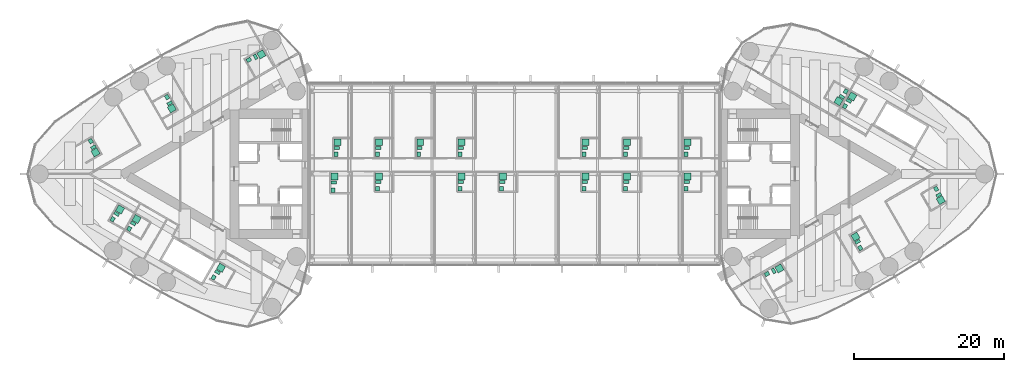
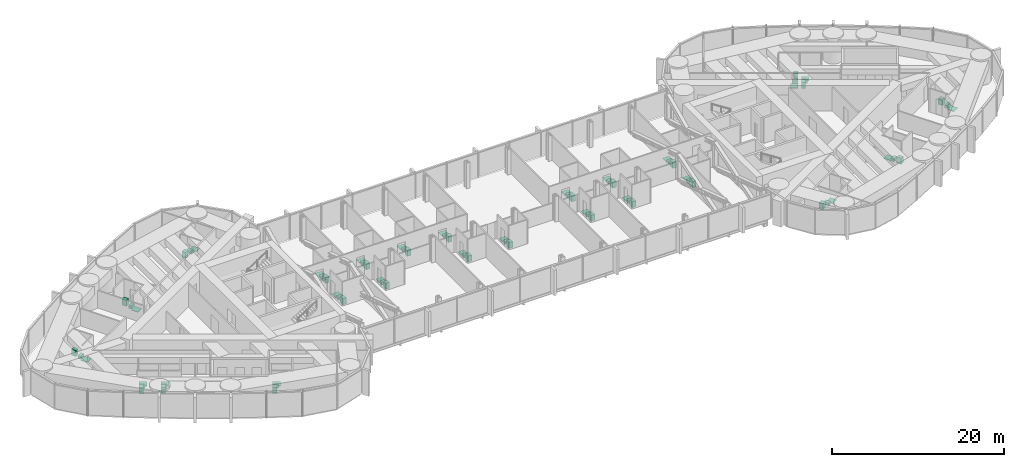
# One storey, part 22 of 22: 31 sanitary terminals.
"""IFC4 building model written with IfcOpenShell, lengths in metres."""

from ifc_helpers import new_model, si_unit, direction, frame, origin, origin_2d, place, context, subcontext, project, spatial, rectangle, extrude, material, type_object, element, save


model = new_model("IFC4")

# Units and contexts
model_context = context("Model", 3, precision=1e-05, world=origin(), true_north=direction((0.0, 1.0)))
body_context = subcontext(model_context, "Body", "Model", "MODEL_VIEW")
ifc_project = project(units=[si_unit("LENGTHUNIT", "METRE"), si_unit("AREAUNIT", "SQUARE_METRE"), si_unit("VOLUMEUNIT", "CUBIC_METRE"), si_unit("PLANEANGLEUNIT", "RADIAN"), si_unit("MASSUNIT", "GRAM", prefix="KILO")], contexts=[model_context])

# Site, building, storey
site_placement = place(None, origin())
site = spatial("IfcSite", under=ifc_project, at=site_placement, CompositionType="ELEMENT")
building_placement = place(site_placement, origin())
building = spatial("IfcBuilding", under=site, at=building_placement, Name="Lancet Gate Hotel", CompositionType="ELEMENT")
storey_placement = place(building_placement, frame((0.0, 0.0, 226.10009765625)))
storey = spatial("IfcBuildingStorey", under=building, at=storey_placement, Name="L60", CompositionType="ELEMENT", Elevation=226.10009765625)

# Sanitary terminals
ifc_material_1 = material(Name="Vitreous china sanitary ware")
sanitary_terminal_type_1 = type_object("IfcSanitaryTerminalType", Name="En-suite sanitary set (shower, WC, basin)", PredefinedType="USERDEFINED", material=ifc_material_1)
sanitary_terminal_1_placement = place(storey_placement, frame((-45.60888671875, 8.717529296875, 0.0), z_axis=(0.0, 0.0, 1.0), x_axis=(1.0, 0.0, 0.0)))
element("IfcSanitaryTerminal", 1, at=sanitary_terminal_1_placement, inside=storey, type_object=sanitary_terminal_type_1, Name="En-suite sanitary set (shower, WC, basin) 6003", ObjectType="EN-SUITE SANITARY SET", PredefinedType="USERDEFINED", context=body_context, shape_type="SweptSolid", body=[
    extrude(rectangle(XDim=0.89990234375, YDim=0.89990234375, at=origin_2d()), frame((0.0, 0.0, 0.0), z_axis=(0.0, 0.0, 1.0), x_axis=(0.5, -0.866025403784, 0.0)), (0.0, 0.0, 1.0), 0.050048828125),
    extrude(rectangle(XDim=0.39990234375, YDim=0.699951171875, at=origin_2d()), frame((-0.2783203125, 0.682373046875, 0.0), z_axis=(0.0, 0.0, 1.0), x_axis=(0.5, -0.866025403784, 0.0)), (0.0, 0.0, 1.0), 0.39990234375),
    extrude(rectangle(XDim=0.60009765625, YDim=0.5, at=origin_2d()), frame((-0.6318359375, 1.494384765625, 0.0), z_axis=(0.0, 0.0, 1.0), x_axis=(0.5, -0.866025403784, 0.0)), (0.0, 0.0, 1.0), 0.85009765625),
])
sanitary_terminal_2_placement = place(storey_placement, frame((-55.758544921875, 2.857666015625, 0.0), z_axis=(0.0, 0.0, 1.0), x_axis=(1.0, 0.0, 0.0)))
element("IfcSanitaryTerminal", 2, at=sanitary_terminal_2_placement, inside=storey, type_object=sanitary_terminal_type_1, Name="En-suite sanitary set (shower, WC, basin) 6005", ObjectType="EN-SUITE SANITARY SET", PredefinedType="USERDEFINED", context=body_context, shape_type="SweptSolid", body=[
    extrude(rectangle(XDim=0.89990234375, YDim=0.89990234375, at=origin_2d()), frame((0.0, 0.0, 0.0), z_axis=(0.0, 0.0, 1.0), x_axis=(0.5, -0.866025403784, 0.0)), (0.0, 0.0, 1.0), 0.050048828125),
    extrude(rectangle(XDim=0.39990234375, YDim=0.699951171875, at=origin_2d()), frame((-0.278564453125, 0.68212890625, 0.0), z_axis=(0.0, 0.0, 1.0), x_axis=(0.5, -0.866025403784, 0.0)), (0.0, 0.0, 1.0), 0.39990234375),
    extrude(rectangle(XDim=0.60009765625, YDim=0.5, at=origin_2d()), frame((-0.6318359375, 1.494384765625, 0.0), z_axis=(0.0, 0.0, 1.0), x_axis=(0.5, -0.866025403784, 0.0)), (0.0, 0.0, 1.0), 0.85009765625),
])
sanitary_terminal_3_placement = place(storey_placement, frame((-52.501220703125, -4.73828125, 0.0), z_axis=(0.0, 0.0, 1.0), x_axis=(1.0, 0.0, 0.0)))
element("IfcSanitaryTerminal", 3, at=sanitary_terminal_3_placement, inside=storey, type_object=sanitary_terminal_type_1, Name="En-suite sanitary set (shower, WC, basin) 6006", ObjectType="EN-SUITE SANITARY SET", PredefinedType="USERDEFINED", context=body_context, shape_type="SweptSolid", body=[
    extrude(rectangle(XDim=0.89990234375, YDim=0.89990234375, at=origin_2d()), frame((0.0, 0.0, 0.0), z_axis=(0.0, 0.0, 1.0), x_axis=(0.5, 0.866025403784, 0.0)), (0.0, 0.0, 1.0), 0.050048828125),
    extrude(rectangle(XDim=0.39990234375, YDim=0.699951171875, at=origin_2d()), frame((-0.451416015625, -0.582275390625, 0.0), z_axis=(0.0, 0.0, 1.0), x_axis=(0.5, 0.866025403784, 0.0)), (0.0, 0.0, 1.0), 0.39990234375),
    extrude(rectangle(XDim=0.60009765625, YDim=0.5, at=origin_2d()), frame((-0.97802734375, -1.29443359375, 0.0), z_axis=(0.0, 0.0, 1.0), x_axis=(0.5, 0.866025403784, 0.0)), (0.0, 0.0, 1.0), 0.85009765625),
])
for number, where, z_axis, x_axis, name in (
    (4, (-50.292724609375, -6.013427734375, 0.0), (0.0, 0.0, 1.0), (1.0, 0.0, 0.0), "En-suite sanitary set (shower, WC, basin) 6007"),
    (5, (-39.07275390625, -12.4912109375, 0.0), (0.0, 0.0, 1.0), (1.0, 0.0, 0.0), "En-suite sanitary set (shower, WC, basin) 6009"),
):
    element("IfcSanitaryTerminal", number, at=place(storey_placement, frame(where, z_axis=z_axis, x_axis=x_axis)), inside=storey, type_object=sanitary_terminal_type_1, Name=name, ObjectType="EN-SUITE SANITARY SET", PredefinedType="USERDEFINED", context=body_context, shape_type="SweptSolid", body=[
        extrude(rectangle(XDim=0.89990234375, YDim=0.89990234375, at=origin_2d()), frame((0.0, 0.0, 0.0), z_axis=(0.0, 0.0, 1.0), x_axis=(0.5, 0.866025403784, 0.0)), (0.0, 0.0, 1.0), 0.050048828125),
        extrude(rectangle(XDim=0.39990234375, YDim=0.699951171875, at=origin_2d()), frame((-0.45166015625, -0.582275390625, 0.0), z_axis=(0.0, 0.0, 1.0), x_axis=(0.5, 0.866025403784, 0.0)), (0.0, 0.0, 1.0), 0.39990234375),
        extrude(rectangle(XDim=0.60009765625, YDim=0.5, at=origin_2d()), frame((-0.978271484375, -1.294189453125, 0.0), z_axis=(0.0, 0.0, 1.0), x_axis=(0.5, 0.866025403784, 0.0)), (0.0, 0.0, 1.0), 0.85009765625),
    ])
sanitary_terminal_4_placement = place(storey_placement, frame((45.358154296875, -8.3623046875, 0.0), z_axis=(0.0, 0.0, 1.0), x_axis=(1.0, 0.0, 0.0)))
element("IfcSanitaryTerminal", 6, at=sanitary_terminal_4_placement, inside=storey, type_object=sanitary_terminal_type_1, Name="En-suite sanitary set (shower, WC, basin) 6053", ObjectType="EN-SUITE SANITARY SET", PredefinedType="USERDEFINED", context=body_context, shape_type="SweptSolid", body=[
    extrude(rectangle(XDim=0.89990234375, YDim=0.89990234375, at=origin_2d()), frame((0.0, 0.0, 0.0), z_axis=(0.0, 0.0, 1.0), x_axis=(-0.5, 0.866025403784, 0.0)), (0.0, 0.0, 1.0), 0.050048828125),
    extrude(rectangle(XDim=0.39990234375, YDim=0.699951171875, at=origin_2d()), frame((0.2783203125, -0.682373046875, 0.0), z_axis=(0.0, 0.0, 1.0), x_axis=(-0.5, 0.866025403784, 0.0)), (0.0, 0.0, 1.0), 0.39990234375),
    extrude(rectangle(XDim=0.60009765625, YDim=0.5, at=origin_2d()), frame((0.6318359375, -1.494384765625, 0.0), z_axis=(0.0, 0.0, 1.0), x_axis=(-0.5, 0.866025403784, 0.0)), (0.0, 0.0, 1.0), 0.85009765625),
])
sanitary_terminal_5_placement = place(storey_placement, frame((56.7138671875, -3.4921875, 0.0), z_axis=(0.0, 0.0, 1.0), x_axis=(1.0, 0.0, 0.0)))
element("IfcSanitaryTerminal", 7, at=sanitary_terminal_5_placement, inside=storey, type_object=sanitary_terminal_type_1, Name="En-suite sanitary set (shower, WC, basin) 6055", ObjectType="EN-SUITE SANITARY SET", PredefinedType="USERDEFINED", context=body_context, shape_type="SweptSolid", body=[
    extrude(rectangle(XDim=0.89990234375, YDim=0.89990234375, at=origin_2d()), frame((0.0, 0.0, 0.0), z_axis=(0.0, 0.0, 1.0), x_axis=(0.5, -0.866025403784, 0.0)), (0.0, 0.0, 1.0), 0.050048828125),
    extrude(rectangle(XDim=0.39990234375, YDim=0.699951171875, at=origin_2d()), frame((-0.278564453125, 0.682373046875, 0.0), z_axis=(0.0, 0.0, 1.0), x_axis=(0.5, -0.866025403784, 0.0)), (0.0, 0.0, 1.0), 0.39990234375),
    extrude(rectangle(XDim=0.60009765625, YDim=0.5, at=origin_2d()), frame((-0.6318359375, 1.494384765625, 0.0), z_axis=(0.0, 0.0, 1.0), x_axis=(0.5, -0.866025403784, 0.0)), (0.0, 0.0, 1.0), 0.85009765625),
])
sanitary_terminal_6_placement = place(storey_placement, frame((44.93310546875, 10.293701171875, 0.0), z_axis=(0.0, 0.0, 1.0), x_axis=(1.0, 0.0, 0.0)))
element("IfcSanitaryTerminal", 8, at=sanitary_terminal_6_placement, inside=storey, type_object=sanitary_terminal_type_1, Name="En-suite sanitary set (shower, WC, basin) 6058", ObjectType="EN-SUITE SANITARY SET", PredefinedType="USERDEFINED", context=body_context, shape_type="SweptSolid", body=[
    extrude(rectangle(XDim=0.89990234375, YDim=0.89990234375, at=origin_2d()), frame((0.0, 0.0, 0.0), z_axis=(0.0, 0.0, 1.0), x_axis=(0.5, 0.866025403784, 0.0)), (0.0, 0.0, 1.0), 0.050048828125),
    extrude(rectangle(XDim=0.39990234375, YDim=0.699951171875, at=origin_2d()), frame((-0.451416015625, -0.582275390625, 0.0), z_axis=(0.0, 0.0, 1.0), x_axis=(0.5, 0.866025403784, 0.0)), (0.0, 0.0, 1.0), 0.39990234375),
    extrude(rectangle(XDim=0.60009765625, YDim=0.5, at=origin_2d()), frame((-0.97802734375, -1.29443359375, 0.0), z_axis=(0.0, 0.0, 1.0), x_axis=(0.5, 0.866025403784, 0.0)), (0.0, 0.0, 1.0), 0.85009765625),
])
sanitary_terminal_7_placement = place(storey_placement, frame((43.0859375, 9.67431640625, 0.0), z_axis=(0.0, 0.0, 1.0), x_axis=(1.0, 0.0, 0.0)))
element("IfcSanitaryTerminal", 9, at=sanitary_terminal_7_placement, inside=storey, type_object=sanitary_terminal_type_1, Name="En-suite sanitary set (shower, WC, basin) 6059", ObjectType="EN-SUITE SANITARY SET", PredefinedType="USERDEFINED", context=body_context, shape_type="SweptSolid", body=[
    extrude(rectangle(XDim=0.89990234375, YDim=0.89990234375, at=origin_2d()), frame((0.0, 0.0, 0.0), z_axis=(0.0, 0.0, 1.0), x_axis=(-0.5, -0.866025403784, 0.0)), (0.0, 0.0, 1.0), 0.050048828125),
    extrude(rectangle(XDim=0.39990234375, YDim=0.699951171875, at=origin_2d()), frame((0.45166015625, 0.58203125, 0.0), z_axis=(0.0, 0.0, 1.0), x_axis=(-0.5, -0.866025403784, 0.0)), (0.0, 0.0, 1.0), 0.39990234375),
    extrude(rectangle(XDim=0.60009765625, YDim=0.5, at=origin_2d()), frame((0.978271484375, 1.294189453125, 0.0), z_axis=(0.0, 0.0, 1.0), x_axis=(-0.5, -0.866025403784, 0.0)), (0.0, 0.0, 1.0), 0.85009765625),
])
for number, where, z_axis, x_axis, name in (
    (10, (-18.054931640625, -0.344970703125, 0.0), (0.0, 0.0, 1.0), (1.0, 0.0, 0.0), "En-suite sanitary set (shower, WC, basin) B6002"),
    (11, (-7.054931640625, -0.344970703125, 0.0), (0.0, 0.0, 1.0), (1.0, 0.0, 0.0), "En-suite sanitary set (shower, WC, basin) B6004"),
    (12, (-1.554931640625, -0.344970703125, 0.0), (0.0, 0.0, 1.0), (1.0, 0.0, 0.0), "En-suite sanitary set (shower, WC, basin) B6005"),
    (13, (9.445068359375, -0.344970703125, 0.0), (0.0, 0.0, 1.0), (1.0, 0.0, 0.0), "En-suite sanitary set (shower, WC, basin) B6007"),
    (14, (14.945068359375, -0.344970703125, 0.0), (0.0, 0.0, 1.0), (1.0, 0.0, 0.0), "En-suite sanitary set (shower, WC, basin) B6008"),
):
    element("IfcSanitaryTerminal", number, at=place(storey_placement, frame(where, z_axis=z_axis, x_axis=x_axis)), inside=storey, type_object=sanitary_terminal_type_1, Name=name, ObjectType="EN-SUITE SANITARY SET", PredefinedType="USERDEFINED", context=body_context, shape_type="SweptSolid", body=[
        extrude(rectangle(XDim=0.89990234375, YDim=0.89990234375, at=origin_2d()), frame((0.0, 0.0, 0.0), z_axis=(0.0, 0.0, 1.0), x_axis=(0.0, 1.0, 0.0)), (0.0, 0.0, 1.0), 0.050048828125),
        extrude(rectangle(XDim=0.39990234375, YDim=0.699951171875, at=origin_2d()), frame((-0.10009765625, -0.72998046875, 0.0), z_axis=(0.0, 0.0, 1.0), x_axis=(0.0, 1.0, 0.0)), (0.0, 0.0, 1.0), 0.39990234375),
        extrude(rectangle(XDim=0.60009765625, YDim=0.5, at=origin_2d()), frame((-0.199951171875, -1.610107421875, 0.0), z_axis=(0.0, 0.0, 1.0), x_axis=(0.0, 1.0, 0.0)), (0.0, 0.0, 1.0), 0.85009765625),
    ])
sanitary_terminal_8_placement = place(storey_placement, frame((22.9951171875, -0.344970703125, 0.0), z_axis=(0.0, 0.0, 1.0), x_axis=(1.0, 0.0, 0.0)))
element("IfcSanitaryTerminal", 15, at=sanitary_terminal_8_placement, inside=storey, type_object=sanitary_terminal_type_1, Name="En-suite sanitary set (shower, WC, basin) B6010", ObjectType="EN-SUITE SANITARY SET", PredefinedType="USERDEFINED", context=body_context, shape_type="SweptSolid", body=[
    extrude(rectangle(XDim=0.89990234375, YDim=0.89990234375, at=origin_2d()), frame((0.0, 0.0, 0.0), z_axis=(0.0, 0.0, 1.0), x_axis=(0.0, 1.0, 0.0)), (0.0, 0.0, 1.0), 0.050048828125),
    extrude(rectangle(XDim=0.39990234375, YDim=0.699951171875, at=origin_2d()), frame((-0.10009765625, -0.72998046875, 0.0), z_axis=(0.0, 0.0, 1.0), x_axis=(0.0, 1.0, 0.0)), (0.0, 0.0, 1.0), 0.39990234375),
    extrude(rectangle(XDim=0.60009765625, YDim=0.5, at=origin_2d()), frame((-0.2001953125, -1.610107421875, 0.0), z_axis=(0.0, 0.0, 1.0), x_axis=(0.0, 1.0, 0.0)), (0.0, 0.0, 1.0), 0.85009765625),
])
for number, where, z_axis, x_axis, name in (
    (16, (-23.554931640625, 4.205078125, 0.0), (0.0, 0.0, 1.0), (1.0, 0.0, 0.0), "En-suite sanitary set (shower, WC, basin) B6011"),
    (17, (-18.054931640625, 4.205078125, 0.0), (0.0, 0.0, 1.0), (1.0, 0.0, 0.0), "En-suite sanitary set (shower, WC, basin) B6012"),
    (18, (-12.554931640625, 4.205078125, 0.0), (0.0, 0.0, 1.0), (1.0, 0.0, 0.0), "En-suite sanitary set (shower, WC, basin) B6013"),
    (19, (-7.054931640625, 4.205078125, 0.0), (0.0, 0.0, 1.0), (1.0, 0.0, 0.0), "En-suite sanitary set (shower, WC, basin) B6014"),
    (20, (9.445068359375, 4.205078125, 0.0), (0.0, 0.0, 1.0), (1.0, 0.0, 0.0), "En-suite sanitary set (shower, WC, basin) B6017"),
    (21, (14.945068359375, 4.205078125, 0.0), (0.0, 0.0, 1.0), (1.0, 0.0, 0.0), "En-suite sanitary set (shower, WC, basin) B6018"),
):
    element("IfcSanitaryTerminal", number, at=place(storey_placement, frame(where, z_axis=z_axis, x_axis=x_axis)), inside=storey, type_object=sanitary_terminal_type_1, Name=name, ObjectType="EN-SUITE SANITARY SET", PredefinedType="USERDEFINED", context=body_context, shape_type="SweptSolid", body=[
        extrude(rectangle(XDim=0.89990234375, YDim=0.89990234375, at=origin_2d()), frame((0.0, 0.0, 0.0), z_axis=(0.0, 0.0, 1.0), x_axis=(0.0, 1.0, 0.0)), (0.0, 0.0, 1.0), 0.050048828125),
        extrude(rectangle(XDim=0.39990234375, YDim=0.699951171875, at=origin_2d()), frame((-0.10009765625, -0.72998046875, 0.0), z_axis=(0.0, 0.0, 1.0), x_axis=(0.0, 1.0, 0.0)), (0.0, 0.0, 1.0), 0.39990234375),
        extrude(rectangle(XDim=0.60009765625, YDim=0.5, at=origin_2d()), frame((-0.199951171875, -1.610107421875, 0.0), z_axis=(0.0, 0.0, 1.0), x_axis=(0.0, 1.0, 0.0)), (0.0, 0.0, 1.0), 0.85009765625),
    ])
sanitary_terminal_9_placement = place(storey_placement, frame((22.9951171875, 4.205078125, 0.0), z_axis=(0.0, 0.0, 1.0), x_axis=(1.0, 0.0, 0.0)))
element("IfcSanitaryTerminal", 22, at=sanitary_terminal_9_placement, inside=storey, type_object=sanitary_terminal_type_1, Name="En-suite sanitary set (shower, WC, basin) B6020", ObjectType="EN-SUITE SANITARY SET", PredefinedType="USERDEFINED", context=body_context, shape_type="SweptSolid", body=[
    extrude(rectangle(XDim=0.89990234375, YDim=0.89990234375, at=origin_2d()), frame((0.0, 0.0, 0.0), z_axis=(0.0, 0.0, 1.0), x_axis=(0.0, 1.0, 0.0)), (0.0, 0.0, 1.0), 0.050048828125),
    extrude(rectangle(XDim=0.39990234375, YDim=0.699951171875, at=origin_2d()), frame((-0.10009765625, -0.72998046875, 0.0), z_axis=(0.0, 0.0, 1.0), x_axis=(0.0, 1.0, 0.0)), (0.0, 0.0, 1.0), 0.39990234375),
    extrude(rectangle(XDim=0.60009765625, YDim=0.5, at=origin_2d()), frame((-0.2001953125, -1.610107421875, 0.0), z_axis=(0.0, 0.0, 1.0), x_axis=(0.0, 1.0, 0.0)), (0.0, 0.0, 1.0), 0.85009765625),
])
ifc_material_2 = material(Name="Stone resin shower tray", Category="masonry")
sanitary_terminal_type_2 = type_object("IfcSanitaryTerminalType", Name="Shower tray 900", PredefinedType="SHOWER", material=ifc_material_2)
for number, where, z_axis, x_axis, name in (
    (23, (-33.6953125, 15.896240234375, 0.0), (0.0, 0.0, 1.0), (0.866025403784, 0.5, 0.0), "Shower tray 900 6002"),
    (24, (35.2412109375, -12.5869140625, 0.0), (0.0, 0.0, 1.0), (0.866025403784, 0.5, 0.0), "Shower tray 900 6052"),
    (25, (-23.955078125, -0.344970703125, 0.0), (0.0, 0.0, 1.0), (0.0, 1.0, 0.0), "Shower tray 900 B6001"),
):
    element("IfcSanitaryTerminal", number, at=place(storey_placement, frame(where, z_axis=z_axis, x_axis=x_axis)), inside=storey, type_object=sanitary_terminal_type_2, Name=name, PredefinedType="SHOWER", context=body_context, shape_type="SweptSolid", body=[
        extrude(rectangle(XDim=0.89990234375, YDim=0.89990234375, at=origin_2d()), origin(), (0.0, 0.0, 1.0), 0.050048828125),
    ])
ifc_material_3 = material(Name="Vitreous china sanitary ware")
sanitary_terminal_type_3 = type_object("IfcSanitaryTerminalType", Name="Vanity basin 600", PredefinedType="WASHHANDBASIN", material=ifc_material_3)
for number, where, z_axis, x_axis, name in (
    (26, (-35.36279296875, 15.164306640625, -0.000244140625), (0.0, 0.0, 1.0), (0.866025403784, 0.5, 0.0), "Vanity basin 600 6002"),
    (27, (33.57373046875, -13.318603515625, -0.000244140625), (0.0, 0.0, 1.0), (0.866025403784, 0.5, 0.0), "Vanity basin 600 6052"),
    (28, (-24.155029296875, -2.155029296875, -0.000244140625), (0.0, 0.0, 1.0), (0.0, 1.0, 0.0), "Vanity basin 600 B6001"),
):
    element("IfcSanitaryTerminal", number, at=place(storey_placement, frame(where, z_axis=z_axis, x_axis=x_axis)), inside=storey, type_object=sanitary_terminal_type_3, Name=name, PredefinedType="WASHHANDBASIN", context=body_context, shape_type="SweptSolid", body=[
        extrude(rectangle(XDim=0.60009765625, YDim=0.5, at=origin_2d()), origin(), (0.0, 0.0, 1.0), 0.85009765625),
    ])
ifc_material_4 = material(Name="Vitreous china sanitary ware")
sanitary_terminal_type_4 = type_object("IfcSanitaryTerminalType", Name="WC pan wall hung", PredefinedType="TOILETPAN", material=ifc_material_4)
for number, where, z_axis, x_axis, name in (
    (29, (-34.464111328125, 15.56787109375, 0.0), (0.0, 0.0, 1.0), (0.866025403784, 0.5, 0.0), "WC pan wall hung 6002"),
    (30, (34.472412109375, -12.915283203125, 0.0), (0.0, 0.0, 1.0), (0.866025403784, 0.5, 0.0), "WC pan wall hung 6052"),
    (31, (-24.054931640625, -1.175048828125, 0.0), (0.0, 0.0, 1.0), (0.0, 1.0, 0.0), "WC pan wall hung B6001"),
):
    element("IfcSanitaryTerminal", number, at=place(storey_placement, frame(where, z_axis=z_axis, x_axis=x_axis)), inside=storey, type_object=sanitary_terminal_type_4, Name=name, PredefinedType="TOILETPAN", context=body_context, shape_type="SweptSolid", body=[
        extrude(rectangle(XDim=0.39990234375, YDim=0.699951171875, at=origin_2d()), origin(), (0.0, 0.0, 1.0), 0.39990234375),
    ])

save(model, "model.ifc")
